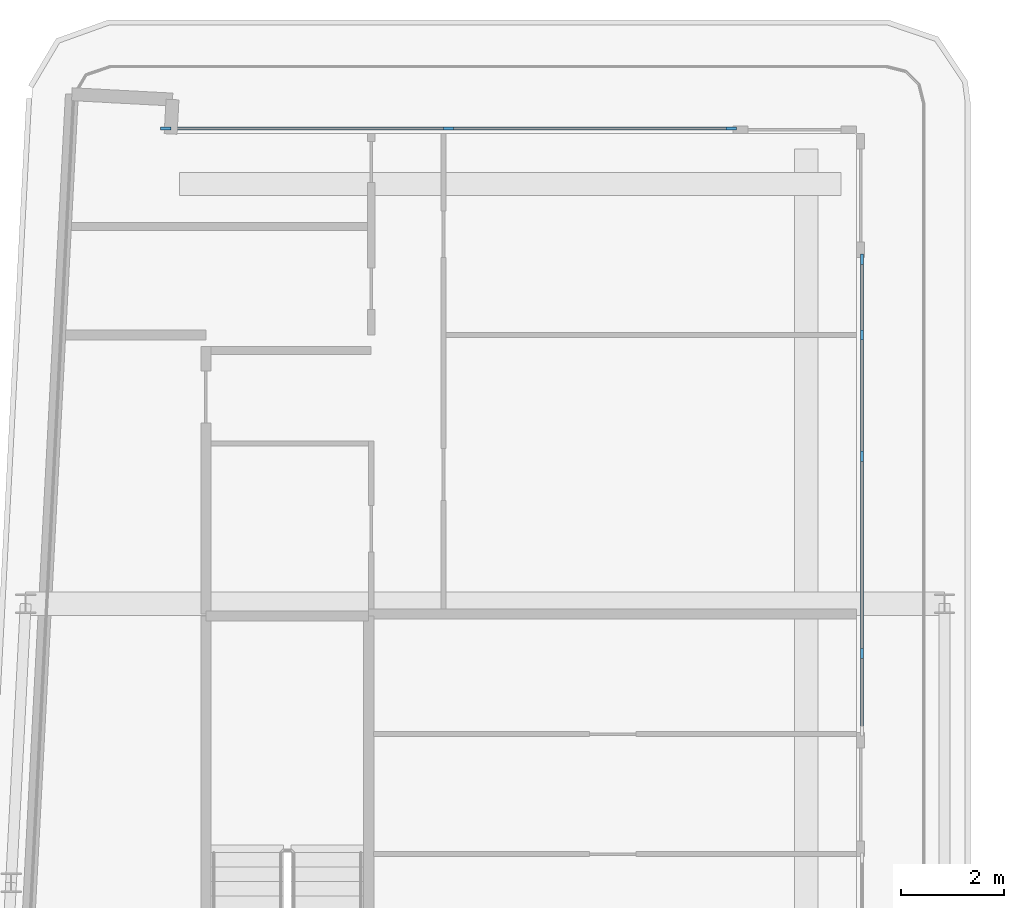
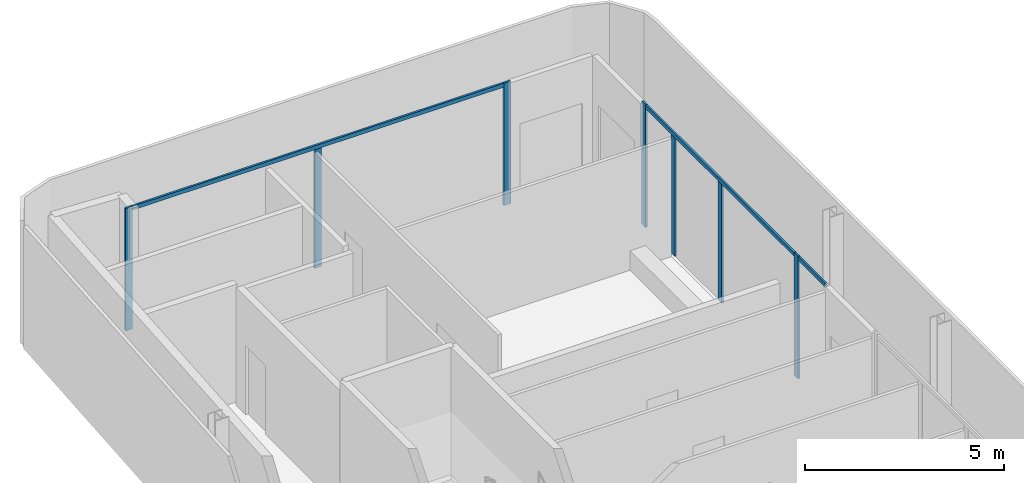
# One storey, part 8 of 21: 10 members, 3 elements without a shape of their own.
"""IFC4 building model written with IfcOpenShell, lengths in metres."""

from ifc_helpers import new_model, si_unit, direction, frame, origin, origin_2d, place, context, subcontext, project, spatial, rectangle, extrude, material, layer, layer_set, material_profile, profile_set, type_object, element, aggregate, save


model = new_model("IFC4")

# Units and contexts
model_context = context("Model", 3, precision=1e-05, world=origin(), true_north=direction((0.0, 1.0)))
body_context = subcontext(model_context, "Body", "Model", "MODEL_VIEW")
ifc_project = project(units=[si_unit("LENGTHUNIT", "METRE"), si_unit("AREAUNIT", "SQUARE_METRE"), si_unit("VOLUMEUNIT", "CUBIC_METRE"), si_unit("PLANEANGLEUNIT", "RADIAN"), si_unit("MASSUNIT", "GRAM", prefix="KILO")], contexts=[model_context])

# Site, building, storey
site_placement = place(None, origin())
site = spatial("IfcSite", under=ifc_project, at=site_placement, CompositionType="ELEMENT")
building_placement = place(site_placement, origin())
building = spatial("IfcBuilding", under=site, at=building_placement, Name="Kheshtan School and Residences Tower", CompositionType="ELEMENT")
storey_placement = place(building_placement, frame((0.0, 0.0, 290.300048828125)))
storey = spatial("IfcBuildingStorey", under=building, at=storey_placement, Name="L68", CompositionType="ELEMENT", Elevation=290.300048828125)

# Curtain wall, members
ifc_material_1 = material(Name="Clear low-e glass in thermally broken aluminium frame", Category="aluminium")
ifc_layer = layer(ifc_material_1, 0.199951171875)
ifc_layer_set = layer_set([ifc_layer], Name="Curtain wall CW-L")
curtain_wall_type = type_object("IfcCurtainWallType", Name="Curtain wall CW-L", PredefinedType="NOTDEFINED", material=ifc_layer_set)
curtain_wall_1_placement = place(storey_placement, origin())
curtain_wall_1 = element("IfcCurtainWall", 1, at=curtain_wall_1_placement, inside=storey, type_object=curtain_wall_type, Name="Curtain wall CWL7", PredefinedType="NOTDEFINED")
ifc_material_2 = material(Name="Thermally broken aluminium, dark bronze anodised", Category="aluminium")
ifc_material_profile_1 = material_profile(ifc_material_2, rectangle(XDim=0.06005859375, YDim=0.199951171875, at=origin_2d()), Name="CW-L mullion 60x200")
ifc_profile_set_1 = profile_set([ifc_material_profile_1], Name="Thermally broken aluminium, dark bronze anodised")
member_type_1 = type_object("IfcMemberType", Name="CW-L mullion 60x200", PredefinedType="MULLION", material=ifc_profile_set_1)
member_1_placement = place(storey_placement, frame((32.52197265625, 98.0, 0.0), z_axis=(0.0, 0.0, 1.0), x_axis=(0.0, 1.0, 0.0)))
member_1 = element("IfcMember", 2, at=member_1_placement, type_object=member_type_1, Name="CWL7 mullion 1", PredefinedType="MULLION", context=body_context, shape_type="SweptSolid", body=[
    extrude(rectangle(XDim=0.06005859375, YDim=0.199951171875, at=origin_2d()), origin(), (0.0, 0.0, 1.0), 3.75),
])
member_2_placement = place(storey_placement, frame((37.99609375, 98.0, 0.0), z_axis=(0.0, 0.0, 1.0), x_axis=(0.0, 1.0, 0.0)))
member_2 = element("IfcMember", 3, at=member_2_placement, type_object=member_type_1, Name="CWL7 mullion 2", PredefinedType="MULLION", context=body_context, shape_type="SweptSolid", body=[
    extrude(rectangle(XDim=0.06005859375, YDim=0.199951171875, at=origin_2d()), origin(), (0.0, 0.0, 1.0), 3.6298828125),
])
member_3_placement = place(storey_placement, frame((43.469970703125, 98.0, 0.0), z_axis=(0.0, 0.0, 1.0), x_axis=(0.0, 1.0, 0.0)))
member_3 = element("IfcMember", 4, at=member_3_placement, type_object=member_type_1, Name="CWL7 mullion 3", PredefinedType="MULLION", context=body_context, shape_type="SweptSolid", body=[
    extrude(rectangle(XDim=0.06005859375, YDim=0.199951171875, at=origin_2d()), origin(), (0.0, 0.0, 1.0), 3.75),
])

curtain_wall_2_placement = place(storey_placement, origin())
curtain_wall_2 = element("IfcCurtainWall", 5, at=curtain_wall_2_placement, inside=storey, type_object=curtain_wall_type, Name="Curtain wall CWL8c", PredefinedType="NOTDEFINED")
member_4_placement = place(storey_placement, frame((46.0, 95.469970703125, 0.0), z_axis=(0.0, 0.0, 1.0), x_axis=(1.0, 0.0, 0.0)))
member_4 = element("IfcMember", 6, at=member_4_placement, type_object=member_type_1, Name="CWL8c mullion 1", PredefinedType="MULLION", context=body_context, shape_type="SweptSolid", body=[
    extrude(rectangle(XDim=0.06005859375, YDim=0.199951171875, at=origin_2d()), origin(), (0.0, 0.0, 1.0), 3.75),
])
member_5_placement = place(storey_placement, frame((46.0, 94.0, 0.0), z_axis=(0.0, 0.0, 1.0), x_axis=(1.0, 0.0, 0.0)))
member_5 = element("IfcMember", 7, at=member_5_placement, type_object=member_type_1, Name="CWL8c mullion 2", PredefinedType="MULLION", context=body_context, shape_type="SweptSolid", body=[
    extrude(rectangle(XDim=0.06005859375, YDim=0.199951171875, at=origin_2d()), origin(), (0.0, 0.0, 1.0), 3.6298828125),
])
member_6_placement = place(storey_placement, frame((46.0, 91.653076171875, 0.0), z_axis=(0.0, 0.0, 1.0), x_axis=(1.0, 0.0, 0.0)))
member_6 = element("IfcMember", 8, at=member_6_placement, type_object=member_type_1, Name="CWL8c mullion 3", PredefinedType="MULLION", context=body_context, shape_type="SweptSolid", body=[
    extrude(rectangle(XDim=0.06005859375, YDim=0.199951171875, at=origin_2d()), origin(), (0.0, 0.0, 1.0), 3.6298828125),
])
member_7_placement = place(storey_placement, frame((46.0, 87.8359375, 0.0), z_axis=(0.0, 0.0, 1.0), x_axis=(1.0, 0.0, 0.0)))
member_7 = element("IfcMember", 9, at=member_7_placement, type_object=member_type_1, Name="CWL8c mullion 4", PredefinedType="MULLION", context=body_context, shape_type="SweptSolid", body=[
    extrude(rectangle(XDim=0.06005859375, YDim=0.199951171875, at=origin_2d()), origin(), (0.0, 0.0, 1.0), 3.75),
])

# Member
ifc_material_profile_2 = material_profile(ifc_material_2, rectangle(XDim=0.06005859375, YDim=0.1201171875, at=origin_2d()), Name="CW-L transom 60x120")
ifc_profile_set_2 = profile_set([ifc_material_profile_2], Name="Thermally broken aluminium, dark bronze anodised")
member_type_2 = type_object("IfcMemberType", Name="CW-L transom 60x120", PredefinedType="USERDEFINED", material=ifc_profile_set_2)
member_8_placement = place(storey_placement, frame((32.552001953125, 98.0, 3.68994140625), z_axis=(1.0, 0.0, 0.0), x_axis=(0.0, 1.0, 0.0)))
member_8 = element("IfcMember", 10, at=member_8_placement, type_object=member_type_2, Name="CWL7 transom 1", ObjectType="TRANSOM", PredefinedType="USERDEFINED", context=body_context, shape_type="SweptSolid", body=[
    extrude(rectangle(XDim=0.06005859375, YDim=0.1201171875, at=origin_2d()), origin(), (0.0, 0.0, 1.0), 10.887939453125),
])

aggregate(curtain_wall_1, [member_1, member_2, member_3, member_8])

member_9_placement = place(storey_placement, frame((46.0, 95.43994140625, 3.68994140625), z_axis=(0.0, -1.0, 0.0), x_axis=(1.0, 0.0, 0.0)))
member_9 = element("IfcMember", 11, at=member_9_placement, type_object=member_type_2, Name="CWL8c transom 1", ObjectType="TRANSOM", PredefinedType="USERDEFINED", context=body_context, shape_type="SweptSolid", body=[
    extrude(rectangle(XDim=0.06005859375, YDim=0.1201171875, at=origin_2d()), origin(), (0.0, 0.0, 1.0), 7.573974609375),
])

aggregate(curtain_wall_2, [member_4, member_5, member_6, member_7, member_9])

# Curtain wall, member
curtain_wall_3_placement = place(storey_placement, origin())
curtain_wall_3 = element("IfcCurtainWall", 12, at=curtain_wall_3_placement, inside=storey, type_object=curtain_wall_type, Name="Curtain wall CWL8a", PredefinedType="NOTDEFINED")
member_10_placement = place(storey_placement, frame((46.0, 87.805908203125, 3.68994140625), z_axis=(0.0, -1.0, 0.0), x_axis=(1.0, 0.0, 0.0)))
member_10 = element("IfcMember", 13, at=member_10_placement, type_object=member_type_2, Name="CWL8a transom 1", ObjectType="TRANSOM", PredefinedType="USERDEFINED", context=body_context, shape_type="SweptSolid", body=[
    extrude(rectangle(XDim=0.06005859375, YDim=0.1201171875, at=origin_2d()), origin(), (0.0, 0.0, 1.0), 1.43994140625),
])
aggregate(curtain_wall_3, [member_10])

save(model, "model.ifc")
